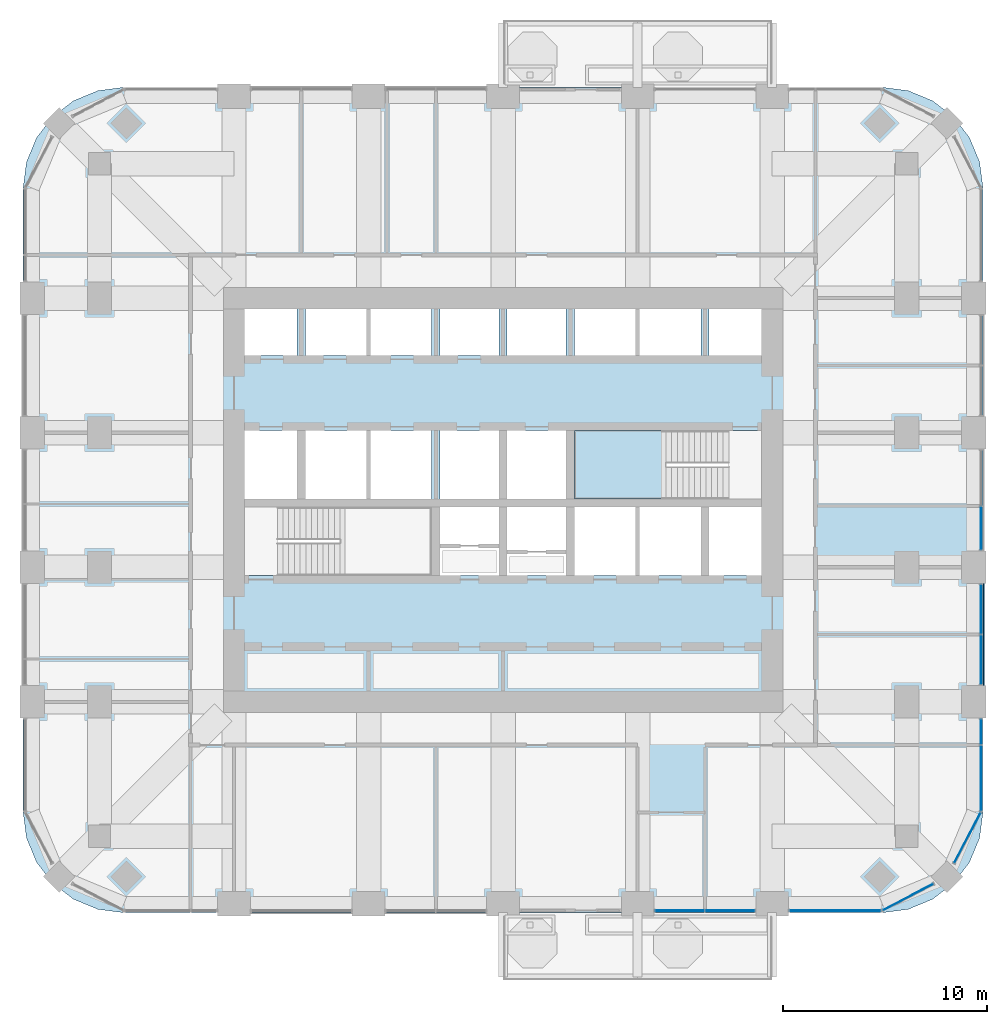
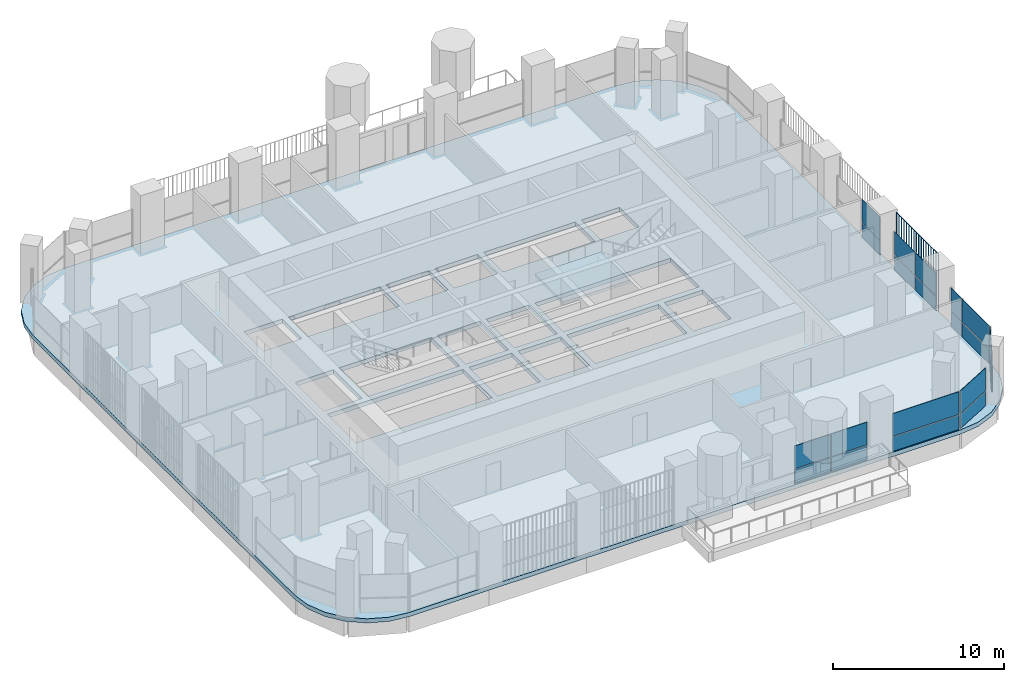
# One storey, part 10 of 20: 21 plates, 2 slabs, 8 elements without a shape of their own.
"""IFC4 building model written with IfcOpenShell, lengths in metres."""

from ifc_helpers import new_model, si_unit, direction, frame, origin, origin_2d, place, context, subcontext, project, spatial, polyline, rectangle, outline, extrude, material, layer, layer_set, type_object, element, aggregate, save


model = new_model("IFC4")

# Units and contexts
model_context = context("Model", 3, precision=1e-05, world=origin(), true_north=direction((0.0, 1.0)))
body_context = subcontext(model_context, "Body", "Model", "MODEL_VIEW")
ifc_project = project(units=[si_unit("LENGTHUNIT", "METRE"), si_unit("AREAUNIT", "SQUARE_METRE"), si_unit("VOLUMEUNIT", "CUBIC_METRE"), si_unit("PLANEANGLEUNIT", "RADIAN"), si_unit("MASSUNIT", "GRAM", prefix="KILO")], contexts=[model_context])

# Site, building, storey
site_placement = place(None, origin())
site = spatial("IfcSite", under=ifc_project, at=site_placement, CompositionType="ELEMENT")
building_placement = place(site_placement, origin())
building = spatial("IfcBuilding", under=site, at=building_placement, Name="Cobogo Forest Laboratory Tower", CompositionType="ELEMENT")
storey_placement = place(building_placement, frame((0.0, 0.0, 180.89990234375)))
storey = spatial("IfcBuildingStorey", under=building, at=storey_placement, Name="L41", CompositionType="ELEMENT", Elevation=180.89990234375)

# Slab
ifc_material_1 = material(Name="Concrete HA-40 (C40/50)", Category="concrete")
ifc_layer_1 = layer(ifc_material_1, 0.300048828125)
ifc_layer_set_1 = layer_set([ifc_layer_1], Name="Floor slab 300")
slab_type_1 = type_object("IfcSlabType", Name="Floor slab 300", PredefinedType="FLOOR", material=ifc_layer_set_1)
slab_1_placement = place(storey_placement, frame((0.0, 0.0, -0.2998046875)))
element("IfcSlab", 1, at=slab_1_placement, inside=storey, type_object=slab_type_1, Name="L41 floor slab", PredefinedType="FLOOR", context=body_context, shape_type="SweptSolid", body=[
    extrude(outline(polyline([(45.0, 2.85009765625), (46.28125, 3.0185546875), (47.47509765625, 3.51318359375), (48.500244140625, 4.2998046875), (49.286865234375, 5.324951171875), (49.78125, 6.518798828125), (49.949951171875, 7.800048828125), (49.949951171875, 38.39990234375), (49.78125, 39.68115234375), (49.286865234375, 40.875), (48.500244140625, 41.900146484375), (47.47509765625, 42.686767578125), (46.28125, 43.181396484375), (45.0, 43.35009765625), (7.800048828125, 43.35009765625), (6.518798828125, 43.181396484375), (5.324951171875, 42.686767578125), (4.2998046875, 41.900146484375), (3.51318359375, 40.875), (3.0185546875, 39.68115234375), (2.85009765625, 38.39990234375), (2.85009765625, 7.800048828125), (3.0185546875, 6.518798828125), (3.51318359375, 5.324951171875), (4.2998046875, 4.2998046875), (5.324951171875, 3.51318359375), (6.518798828125, 3.0185546875), (7.800048828125, 2.85009765625), (45.0, 2.85009765625)]), holes=[polyline([(22.89990234375, 19.39990234375), (13.72509765625, 19.39990234375), (13.72509765625, 22.75), (22.89990234375, 22.75), (22.89990234375, 19.39990234375)]), polyline([(26.199951171875, 19.39990234375), (23.300048828125, 19.39990234375), (23.300048828125, 22.75), (26.199951171875, 22.75), (26.199951171875, 19.39990234375)]), polyline([(29.5, 19.39990234375), (26.60009765625, 19.39990234375), (26.60009765625, 22.75), (29.5, 22.75), (29.5, 19.39990234375)]), polyline([(36.10009765625, 22.75), (36.10009765625, 19.39990234375), (29.89990234375, 19.39990234375), (29.89990234375, 22.75), (36.10009765625, 22.75)]), polyline([(36.5, 19.39990234375), (36.5, 22.75), (39.074951171875, 22.75), (39.074951171875, 19.39990234375), (36.5, 19.39990234375)]), polyline([(16.300048828125, 23.14990234375), (13.72509765625, 23.14990234375), (13.72509765625, 26.5), (16.300048828125, 26.5), (16.300048828125, 23.14990234375)]), polyline([(22.89990234375, 26.5), (22.89990234375, 23.14990234375), (16.699951171875, 23.14990234375), (16.699951171875, 26.5), (22.89990234375, 26.5)]), polyline([(26.199951171875, 23.14990234375), (23.300048828125, 23.14990234375), (23.300048828125, 26.5), (26.199951171875, 26.5), (26.199951171875, 23.14990234375)]), polyline([(26.60009765625, 23.14990234375), (26.60009765625, 26.5), (29.5, 26.5), (29.5, 23.14990234375), (26.60009765625, 23.14990234375)]), polyline([(39.074951171875, 23.14990234375), (29.89990234375, 23.14990234375), (29.89990234375, 26.5), (39.074951171875, 26.5), (39.074951171875, 23.14990234375)]), polyline([(16.300048828125, 30.199951171875), (13.72509765625, 30.199951171875), (13.72509765625, 32.47509765625), (16.300048828125, 32.47509765625), (16.300048828125, 30.199951171875)]), polyline([(22.89990234375, 32.47509765625), (22.89990234375, 30.199951171875), (16.699951171875, 30.199951171875), (16.699951171875, 32.47509765625), (22.89990234375, 32.47509765625)]), polyline([(23.300048828125, 30.199951171875), (23.300048828125, 32.47509765625), (26.199951171875, 32.47509765625), (26.199951171875, 30.199951171875), (23.300048828125, 30.199951171875)]), polyline([(29.5, 30.199951171875), (26.60009765625, 30.199951171875), (26.60009765625, 32.47509765625), (29.5, 32.47509765625), (29.5, 30.199951171875)]), polyline([(36.10009765625, 32.47509765625), (36.10009765625, 30.199951171875), (29.89990234375, 30.199951171875), (29.89990234375, 32.47509765625), (36.10009765625, 32.47509765625)]), polyline([(36.5, 30.199951171875), (36.5, 32.47509765625), (39.074951171875, 32.47509765625), (39.074951171875, 30.199951171875), (36.5, 30.199951171875)])]), origin(), (0.0, 0.0, 1.0), 0.2998046875),
])

# Curtain wall, plates
ifc_material_2 = material(Name="Aluminium curtain wall", Category="aluminium")
curtain_wall_type = type_object("IfcCurtainWallType", Name="CW-2 unitised curtain wall, solar control glazing, laboratory floors zones C and D", PredefinedType="USERDEFINED", material=ifc_material_2)
curtain_wall_1_placement = place(storey_placement, origin())
curtain_wall_1 = element("IfcCurtainWall", 2, at=curtain_wall_1_placement, inside=storey, type_object=curtain_wall_type, Name="Curtain wall 05 L41", ObjectType="UNITISED CURTAIN WALL", PredefinedType="USERDEFINED")
ifc_material_3 = material(Name="Solar control insulated glass", Category="glass")
ifc_layer_2 = layer(ifc_material_3, 0.031982421875)
ifc_layer_set_2 = layer_set([ifc_layer_2], Name="GP-2 solar control glass unit 32")
plate_type_1 = type_object("IfcPlateType", Name="GP-2 solar control glass unit 32", PredefinedType="CURTAIN_PANEL", material=ifc_layer_set_2)
plate_1_placement = place(storey_placement, frame((35.06494140625, 2.949951171875, 0.0), z_axis=(0.0, 0.0, 1.0), x_axis=(1.0, 0.0, 0.0)))
plate_1 = element("IfcPlate", 3, at=plate_1_placement, type_object=plate_type_1, Name="CW-2 panel 1.1", PredefinedType="CURTAIN_PANEL", context=body_context, shape_type="SweptSolid", body=[
    extrude(rectangle(XDim=2.409912109375, YDim=0.031982421875, at=origin_2d()), origin(), (0.0, 0.0, 1.0), 1.02001953125),
])
plate_2_placement = place(storey_placement, frame((35.06494140625, 2.949951171875, 1.080078125), z_axis=(0.0, 0.0, 1.0), x_axis=(1.0, 0.0, 0.0)))
plate_2 = element("IfcPlate", 4, at=plate_2_placement, type_object=plate_type_1, Name="CW-2 panel 1.2", PredefinedType="CURTAIN_PANEL", context=body_context, shape_type="SweptSolid", body=[
    extrude(rectangle(XDim=2.409912109375, YDim=0.031982421875, at=origin_2d()), origin(), (0.0, 0.0, 1.0), 1.6201171875),
])
plate_3_placement = place(storey_placement, frame((37.534912109375, 2.949951171875, 0.0), z_axis=(0.0, 0.0, 1.0), x_axis=(1.0, 0.0, 0.0)))
plate_3 = element("IfcPlate", 5, at=plate_3_placement, type_object=plate_type_1, Name="CW-2 panel 2.1", PredefinedType="CURTAIN_PANEL", context=body_context, shape_type="SweptSolid", body=[
    extrude(rectangle(XDim=2.409912109375, YDim=0.031982421875, at=origin_2d()), origin(), (0.0, 0.0, 1.0), 1.02001953125),
])
plate_4_placement = place(storey_placement, frame((37.534912109375, 2.949951171875, 1.080078125), z_axis=(0.0, 0.0, 1.0), x_axis=(1.0, 0.0, 0.0)))
plate_4 = element("IfcPlate", 6, at=plate_4_placement, type_object=plate_type_1, Name="CW-2 panel 2.2", PredefinedType="CURTAIN_PANEL", context=body_context, shape_type="SweptSolid", body=[
    extrude(rectangle(XDim=2.409912109375, YDim=0.031982421875, at=origin_2d()), origin(), (0.0, 0.0, 1.0), 1.6201171875),
])
aggregate(curtain_wall_1, [plate_1, plate_2, plate_3, plate_4])

curtain_wall_2_placement = place(storey_placement, origin())
curtain_wall_2 = element("IfcCurtainWall", 7, at=curtain_wall_2_placement, inside=storey, type_object=curtain_wall_type, Name="Curtain wall 06 L41", ObjectType="UNITISED CURTAIN WALL", PredefinedType="USERDEFINED")
plate_5_placement = place(storey_placement, frame((42.699951171875, 2.949951171875, 0.0), z_axis=(0.0, 0.0, 1.0), x_axis=(1.0, 0.0, 0.0)))
plate_5 = element("IfcPlate", 8, at=plate_5_placement, type_object=plate_type_1, Name="CW-2 panel 1.1", PredefinedType="CURTAIN_PANEL", context=body_context, shape_type="SweptSolid", body=[
    extrude(rectangle(XDim=4.47998046875, YDim=0.031982421875, at=origin_2d()), origin(), (0.0, 0.0, 1.0), 1.02001953125),
])
plate_6_placement = place(storey_placement, frame((42.699951171875, 2.949951171875, 1.080078125), z_axis=(0.0, 0.0, 1.0), x_axis=(1.0, 0.0, 0.0)))
plate_6 = element("IfcPlate", 9, at=plate_6_placement, type_object=plate_type_1, Name="CW-2 panel 1.2", PredefinedType="CURTAIN_PANEL", context=body_context, shape_type="SweptSolid", body=[
    extrude(rectangle(XDim=4.47998046875, YDim=0.031982421875, at=origin_2d()), origin(), (0.0, 0.0, 1.0), 1.6201171875),
])
aggregate(curtain_wall_2, [plate_5, plate_6])

curtain_wall_3_placement = place(storey_placement, origin())
curtain_wall_3 = element("IfcCurtainWall", 10, at=curtain_wall_3_placement, inside=storey, type_object=curtain_wall_type, Name="Curtain wall 07 L41", ObjectType="UNITISED CURTAIN WALL", PredefinedType="USERDEFINED")
plate_7_placement = place(storey_placement, frame((46.275634765625, 3.61865234375, 0.0), z_axis=(0.0, 0.0, 1.0), x_axis=(0.885686484356, 0.464283804832, 0.0)))
plate_7 = element("IfcPlate", 11, at=plate_7_placement, type_object=plate_type_1, Name="CW-2 panel 1.1", PredefinedType="CURTAIN_PANEL", context=body_context, shape_type="SweptSolid", body=[
    extrude(rectangle(XDim=2.76025390625, YDim=0.031982421875, at=origin_2d()), origin(), (0.0, 0.0, 1.0), 1.02001953125),
])
plate_8_placement = place(storey_placement, frame((46.275634765625, 3.61865234375, 1.080078125), z_axis=(0.0, 0.0, 1.0), x_axis=(0.885686484356, 0.464283804832, 0.0)))
plate_8 = element("IfcPlate", 12, at=plate_8_placement, type_object=plate_type_1, Name="CW-2 panel 1.2", PredefinedType="CURTAIN_PANEL", context=body_context, shape_type="SweptSolid", body=[
    extrude(rectangle(XDim=2.76025390625, YDim=0.031982421875, at=origin_2d()), origin(), (0.0, 0.0, 1.0), 1.6201171875),
])
aggregate(curtain_wall_3, [plate_7, plate_8])

curtain_wall_4_placement = place(storey_placement, origin())
curtain_wall_4 = element("IfcCurtainWall", 13, at=curtain_wall_4_placement, inside=storey, type_object=curtain_wall_type, Name="Curtain wall 08 L41", ObjectType="UNITISED CURTAIN WALL", PredefinedType="USERDEFINED")
plate_9_placement = place(storey_placement, frame((49.181396484375, 6.5244140625, 0.0), z_axis=(0.0, 0.0, 1.0), x_axis=(0.464283804832, 0.885686484356, 0.0)))
plate_9 = element("IfcPlate", 14, at=plate_9_placement, type_object=plate_type_1, Name="CW-2 panel 1.1", PredefinedType="CURTAIN_PANEL", context=body_context, shape_type="SweptSolid", body=[
    extrude(rectangle(XDim=2.76025390625, YDim=0.031982421875, at=origin_2d()), origin(), (0.0, 0.0, 1.0), 1.02001953125),
])
plate_10_placement = place(storey_placement, frame((49.181396484375, 6.5244140625, 1.080078125), z_axis=(0.0, 0.0, 1.0), x_axis=(0.464283804832, 0.885686484356, 0.0)))
plate_10 = element("IfcPlate", 15, at=plate_10_placement, type_object=plate_type_1, Name="CW-2 panel 1.2", PredefinedType="CURTAIN_PANEL", context=body_context, shape_type="SweptSolid", body=[
    extrude(rectangle(XDim=2.76025390625, YDim=0.031982421875, at=origin_2d()), origin(), (0.0, 0.0, 1.0), 1.6201171875),
])
aggregate(curtain_wall_4, [plate_9, plate_10])

curtain_wall_5_placement = place(storey_placement, origin())
curtain_wall_5 = element("IfcCurtainWall", 16, at=curtain_wall_5_placement, inside=storey, type_object=curtain_wall_type, Name="Curtain wall 09 L41", ObjectType="UNITISED CURTAIN WALL", PredefinedType="USERDEFINED")
plate_11_placement = place(storey_placement, frame((49.85009765625, 9.452392578125, 0.0), z_axis=(0.0, 0.0, 1.0), x_axis=(0.0, 1.0, 0.0)))
plate_11 = element("IfcPlate", 17, at=plate_11_placement, type_object=plate_type_1, Name="CW-2 panel 1.1", PredefinedType="CURTAIN_PANEL", context=body_context, shape_type="SweptSolid", body=[
    extrude(rectangle(XDim=3.18505859375, YDim=0.031982421875, at=origin_2d()), origin(), (0.0, 0.0, 1.0), 1.02001953125),
])
plate_12_placement = place(storey_placement, frame((49.85009765625, 9.452392578125, 1.080078125), z_axis=(0.0, 0.0, 1.0), x_axis=(0.0, 1.0, 0.0)))
plate_12 = element("IfcPlate", 18, at=plate_12_placement, type_object=plate_type_1, Name="CW-2 panel 1.2", PredefinedType="CURTAIN_PANEL", context=body_context, shape_type="SweptSolid", body=[
    extrude(rectangle(XDim=3.18505859375, YDim=0.031982421875, at=origin_2d()), origin(), (0.0, 0.0, 1.0), 1.6201171875),
])
plate_13_placement = place(storey_placement, frame((49.85009765625, 11.722412109375, 0.0), z_axis=(0.0, 0.0, 1.0), x_axis=(0.0, 1.0, 0.0)))
plate_13 = element("IfcPlate", 19, at=plate_13_placement, type_object=plate_type_1, Name="CW-2 panel 2.1", PredefinedType="CURTAIN_PANEL", context=body_context, shape_type="SweptSolid", body=[
    extrude(rectangle(XDim=1.235107421875, YDim=0.031982421875, at=origin_2d()), origin(), (0.0, 0.0, 1.0), 1.02001953125),
])
plate_14_placement = place(storey_placement, frame((49.85009765625, 11.722412109375, 1.080078125), z_axis=(0.0, 0.0, 1.0), x_axis=(0.0, 1.0, 0.0)))
plate_14 = element("IfcPlate", 20, at=plate_14_placement, type_object=plate_type_1, Name="CW-2 panel 2.2", PredefinedType="CURTAIN_PANEL", context=body_context, shape_type="SweptSolid", body=[
    extrude(rectangle(XDim=1.235107421875, YDim=0.031982421875, at=origin_2d()), origin(), (0.0, 0.0, 1.0), 1.6201171875),
])
aggregate(curtain_wall_5, [plate_11, plate_12, plate_13, plate_14])

curtain_wall_6_placement = place(storey_placement, origin())
curtain_wall_6 = element("IfcCurtainWall", 21, at=curtain_wall_6_placement, inside=storey, type_object=curtain_wall_type, Name="Curtain wall 10 L41", ObjectType="UNITISED CURTAIN WALL", PredefinedType="USERDEFINED")
plate_15_placement = place(storey_placement, frame((49.85009765625, 15.264892578125, 0.0), z_axis=(0.0, 0.0, 1.0), x_axis=(0.0, 1.0, 0.0)))
plate_15 = element("IfcPlate", 22, at=plate_15_placement, type_object=plate_type_1, Name="CW-2 panel 1.1", PredefinedType="CURTAIN_PANEL", context=body_context, shape_type="SweptSolid", body=[
    extrude(rectangle(XDim=2.409912109375, YDim=0.031982421875, at=origin_2d()), origin(), (0.0, 0.0, 1.0), 1.02001953125),
])
plate_16_placement = place(storey_placement, frame((49.85009765625, 15.264892578125, 1.080078125), z_axis=(0.0, 0.0, 1.0), x_axis=(0.0, 1.0, 0.0)))
plate_16 = element("IfcPlate", 23, at=plate_16_placement, type_object=plate_type_1, Name="CW-2 panel 1.2", PredefinedType="CURTAIN_PANEL", context=body_context, shape_type="SweptSolid", body=[
    extrude(rectangle(XDim=2.409912109375, YDim=0.031982421875, at=origin_2d()), origin(), (0.0, 0.0, 1.0), 1.6201171875),
])
plate_17_placement = place(storey_placement, frame((49.85009765625, 17.735107421875, 0.0), z_axis=(0.0, 0.0, 1.0), x_axis=(0.0, 1.0, 0.0)))
plate_17 = element("IfcPlate", 24, at=plate_17_placement, type_object=plate_type_1, Name="CW-2 panel 2.1", PredefinedType="CURTAIN_PANEL", context=body_context, shape_type="SweptSolid", body=[
    extrude(rectangle(XDim=2.409912109375, YDim=0.031982421875, at=origin_2d()), origin(), (0.0, 0.0, 1.0), 1.02001953125),
])
plate_18_placement = place(storey_placement, frame((49.85009765625, 17.735107421875, 1.080078125), z_axis=(0.0, 0.0, 1.0), x_axis=(0.0, 1.0, 0.0)))
plate_18 = element("IfcPlate", 25, at=plate_18_placement, type_object=plate_type_1, Name="CW-2 panel 2.2", PredefinedType="CURTAIN_PANEL", context=body_context, shape_type="SweptSolid", body=[
    extrude(rectangle(XDim=2.409912109375, YDim=0.031982421875, at=origin_2d()), origin(), (0.0, 0.0, 1.0), 1.6201171875),
])
aggregate(curtain_wall_6, [plate_15, plate_16, plate_17, plate_18])

curtain_wall_7_placement = place(storey_placement, origin())
curtain_wall_7 = element("IfcCurtainWall", 26, at=curtain_wall_7_placement, inside=storey, type_object=curtain_wall_type, Name="Curtain wall 11 L41", ObjectType="UNITISED CURTAIN WALL", PredefinedType="USERDEFINED")
plate_19_placement = place(storey_placement, frame((49.85009765625, 21.715087890625, 0.0), z_axis=(0.0, 0.0, 1.0), x_axis=(0.0, 1.0, 0.0)))
plate_19 = element("IfcPlate", 27, at=plate_19_placement, type_object=plate_type_1, Name="CW-2 panel 1.1", PredefinedType="CURTAIN_PANEL", context=body_context, shape_type="SweptSolid", body=[
    extrude(rectangle(XDim=2.110107421875, YDim=0.031982421875, at=origin_2d()), origin(), (0.0, 0.0, 1.0), 1.02001953125),
])
plate_20_placement = place(storey_placement, frame((49.85009765625, 21.715087890625, 1.080078125), z_axis=(0.0, 0.0, 1.0), x_axis=(0.0, 1.0, 0.0)))
plate_20 = element("IfcPlate", 28, at=plate_20_placement, type_object=plate_type_1, Name="CW-2 panel 1.2", PredefinedType="CURTAIN_PANEL", context=body_context, shape_type="SweptSolid", body=[
    extrude(rectangle(XDim=2.110107421875, YDim=0.031982421875, at=origin_2d()), origin(), (0.0, 0.0, 1.0), 1.6201171875),
])
aggregate(curtain_wall_7, [plate_19, plate_20])

# Stair, slab
ifc_material_4 = material(Name="Precast concrete HA-40 (C40/50)", Category="concrete")
stair_type = type_object("IfcStairType", Name="ST24 exit stair 24 risers", PredefinedType="HALF_TURN_STAIR", material=ifc_material_4)
stair_placement = place(storey_placement, origin())
stair = element("IfcStair", 29, at=stair_placement, inside=storey, type_object=stair_type, Name="Stair 2 L41 to L42", PredefinedType="HALF_TURN_STAIR")
ifc_layer_3 = layer(ifc_material_1, 0.199951171875)
ifc_layer_set_3 = layer_set([ifc_layer_3], Name="SL stair landing 200")
slab_type_2 = type_object("IfcSlabType", Name="SL stair landing 200", PredefinedType="LANDING", material=ifc_layer_set_3)
slab_2_placement = place(storey_placement, frame((0.0, 0.0, 1.900146484375)))
slab_2 = element("IfcSlab", 30, at=slab_2_placement, type_object=slab_type_2, Name="ST2 landing 2", PredefinedType="LANDING", context=body_context, shape_type="SweptSolid", body=[
    extrude(outline(polyline([(29.89990234375, 23.14990234375), (34.39697265625, 23.14990234375), (34.39697265625, 26.5), (29.89990234375, 26.5), (29.89990234375, 23.14990234375)])), origin(), (0.0, 0.0, 1.0), 0.199951171875),
])
aggregate(stair, [slab_2])

# Plate
ifc_material_5 = material(Name="Terracotta", Category="masonry")
plate_type_2 = type_object("IfcPlateType", Name="TB1 terracotta baguette screen", PredefinedType="USERDEFINED", material=ifc_material_5)
plate_21_placement = place(storey_placement, frame((49.977783203125, 14.03125, -0.14990234375)))
element("IfcPlate", 31, at=plate_21_placement, inside=storey, type_object=plate_type_2, Name="Baguette screen E1 L41", ObjectType="BAGUETTE SCREEN", PredefinedType="USERDEFINED", context=body_context, shape_type="SweptSolid", body=[
    extrude(outline(polyline([(0.02880859375, 0.011962890625), (0.011962890625, 0.02880859375), (-0.011962890625, 0.02880859375), (-0.02880859375, 0.011962890625), (-0.02880859375, -0.011962890625), (-0.011962890625, -0.02880859375), (0.011962890625, -0.02880859375), (0.02880859375, -0.011962890625), (0.02880859375, 0.011962890625)])), frame((0.0, 0.0, 4.168701171875), z_axis=(0.0, 1.0, 0.0), x_axis=(-1.0, 0.0, 0.0)), (0.0, 0.0, 1.0), 4.9375),
    extrude(outline(polyline([(0.02880859375, 0.011962890625), (0.011962890625, 0.02880859375), (-0.011962890625, 0.02880859375), (-0.02880859375, 0.011962890625), (-0.02880859375, -0.011962890625), (-0.011962890625, -0.02880859375), (0.011962890625, -0.02880859375), (0.02880859375, -0.011962890625), (0.02880859375, 0.011962890625)])), origin(), (0.0, 0.0, 1.0), 4.137451171875),
    extrude(outline(polyline([(0.02880859375, 0.011962890625), (0.011962890625, 0.02880859375), (-0.011962890625, 0.02880859375), (-0.02880859375, 0.011962890625), (-0.02880859375, -0.011962890625), (-0.011962890625, -0.02880859375), (0.011962890625, -0.02880859375), (0.02880859375, -0.011962890625), (0.02880859375, 0.011962890625)])), frame((0.0, 0.29052734375, 0.0)), (0.0, 0.0, 1.0), 4.137451171875),
    extrude(outline(polyline([(0.02880859375, 0.011962890625), (0.011962890625, 0.02880859375), (-0.011962890625, 0.02880859375), (-0.02880859375, 0.011962890625), (-0.02880859375, -0.011962890625), (-0.011962890625, -0.02880859375), (0.011962890625, -0.02880859375), (0.02880859375, -0.011962890625), (0.02880859375, 0.011962890625)])), frame((0.0, 0.580810546875, 0.0)), (0.0, 0.0, 1.0), 4.137451171875),
    extrude(outline(polyline([(0.02880859375, 0.011962890625), (0.011962890625, 0.02880859375), (-0.011962890625, 0.02880859375), (-0.02880859375, 0.011962890625), (-0.02880859375, -0.011962890625), (-0.011962890625, -0.02880859375), (0.011962890625, -0.02880859375), (0.02880859375, -0.011962890625), (0.02880859375, 0.011962890625)])), frame((0.0, 0.871337890625, 0.0)), (0.0, 0.0, 1.0), 4.137451171875),
    extrude(outline(polyline([(0.02880859375, 0.011962890625), (0.011962890625, 0.02880859375), (-0.011962890625, 0.02880859375), (-0.02880859375, 0.011962890625), (-0.02880859375, -0.011962890625), (-0.011962890625, -0.02880859375), (0.011962890625, -0.02880859375), (0.02880859375, -0.011962890625), (0.02880859375, 0.011962890625)])), frame((0.0, 1.161865234375, 0.0)), (0.0, 0.0, 1.0), 4.137451171875),
    extrude(outline(polyline([(0.02880859375, 0.011962890625), (0.011962890625, 0.02880859375), (-0.011962890625, 0.02880859375), (-0.02880859375, 0.011962890625), (-0.02880859375, -0.011962890625), (-0.011962890625, -0.02880859375), (0.011962890625, -0.02880859375), (0.02880859375, -0.011962890625), (0.02880859375, 0.011962890625)])), frame((0.0, 1.4521484375, 0.0)), (0.0, 0.0, 1.0), 4.137451171875),
    extrude(outline(polyline([(0.02880859375, 0.011962890625), (0.011962890625, 0.02880859375), (-0.011962890625, 0.02880859375), (-0.02880859375, 0.011962890625), (-0.02880859375, -0.011962890625), (-0.011962890625, -0.02880859375), (0.011962890625, -0.02880859375), (0.02880859375, -0.011962890625), (0.02880859375, 0.011962890625)])), frame((0.0, 1.74267578125, 0.0)), (0.0, 0.0, 1.0), 4.137451171875),
    extrude(outline(polyline([(0.02880859375, 0.011962890625), (0.011962890625, 0.02880859375), (-0.011962890625, 0.02880859375), (-0.02880859375, 0.011962890625), (-0.02880859375, -0.011962890625), (-0.011962890625, -0.02880859375), (0.011962890625, -0.02880859375), (0.02880859375, -0.011962890625), (0.02880859375, 0.011962890625)])), frame((0.0, 2.033203125, 0.0)), (0.0, 0.0, 1.0), 4.137451171875),
    extrude(outline(polyline([(0.02880859375, 0.011962890625), (0.011962890625, 0.02880859375), (-0.011962890625, 0.02880859375), (-0.02880859375, 0.011962890625), (-0.02880859375, -0.011962890625), (-0.011962890625, -0.02880859375), (0.011962890625, -0.02880859375), (0.02880859375, -0.011962890625), (0.02880859375, 0.011962890625)])), frame((0.0, 2.323486328125, 0.0)), (0.0, 0.0, 1.0), 4.137451171875),
    extrude(outline(polyline([(0.02880859375, 0.011962890625), (0.011962890625, 0.02880859375), (-0.011962890625, 0.02880859375), (-0.02880859375, 0.011962890625), (-0.02880859375, -0.011962890625), (-0.011962890625, -0.02880859375), (0.011962890625, -0.02880859375), (0.02880859375, -0.011962890625), (0.02880859375, 0.011962890625)])), frame((0.0, 2.614013671875, 0.0)), (0.0, 0.0, 1.0), 4.137451171875),
    extrude(outline(polyline([(0.02880859375, 0.011962890625), (0.011962890625, 0.02880859375), (-0.011962890625, 0.02880859375), (-0.02880859375, 0.011962890625), (-0.02880859375, -0.011962890625), (-0.011962890625, -0.02880859375), (0.011962890625, -0.02880859375), (0.02880859375, -0.011962890625), (0.02880859375, 0.011962890625)])), frame((0.0, 2.904296875, 0.0)), (0.0, 0.0, 1.0), 4.137451171875),
    extrude(outline(polyline([(0.02880859375, 0.011962890625), (0.011962890625, 0.02880859375), (-0.011962890625, 0.02880859375), (-0.02880859375, 0.011962890625), (-0.02880859375, -0.011962890625), (-0.011962890625, -0.02880859375), (0.011962890625, -0.02880859375), (0.02880859375, -0.011962890625), (0.02880859375, 0.011962890625)])), frame((0.0, 3.19482421875, 0.0)), (0.0, 0.0, 1.0), 4.137451171875),
    extrude(outline(polyline([(0.02880859375, 0.011962890625), (0.011962890625, 0.02880859375), (-0.011962890625, 0.02880859375), (-0.02880859375, 0.011962890625), (-0.02880859375, -0.011962890625), (-0.011962890625, -0.02880859375), (0.011962890625, -0.02880859375), (0.02880859375, -0.011962890625), (0.02880859375, 0.011962890625)])), frame((0.0, 3.4853515625, 0.0)), (0.0, 0.0, 1.0), 4.137451171875),
    extrude(outline(polyline([(0.02880859375, 0.011962890625), (0.011962890625, 0.02880859375), (-0.011962890625, 0.02880859375), (-0.02880859375, 0.011962890625), (-0.02880859375, -0.011962890625), (-0.011962890625, -0.02880859375), (0.011962890625, -0.02880859375), (0.02880859375, -0.011962890625), (0.02880859375, 0.011962890625)])), frame((0.0, 3.775634765625, 0.0)), (0.0, 0.0, 1.0), 4.137451171875),
    extrude(outline(polyline([(0.02880859375, 0.011962890625), (0.011962890625, 0.02880859375), (-0.011962890625, 0.02880859375), (-0.02880859375, 0.011962890625), (-0.02880859375, -0.011962890625), (-0.011962890625, -0.02880859375), (0.011962890625, -0.02880859375), (0.02880859375, -0.011962890625), (0.02880859375, 0.011962890625)])), frame((0.0, 4.066162109375, 0.0)), (0.0, 0.0, 1.0), 4.137451171875),
    extrude(outline(polyline([(0.02880859375, 0.011962890625), (0.011962890625, 0.02880859375), (-0.011962890625, 0.02880859375), (-0.02880859375, 0.011962890625), (-0.02880859375, -0.011962890625), (-0.011962890625, -0.02880859375), (0.011962890625, -0.02880859375), (0.02880859375, -0.011962890625), (0.02880859375, 0.011962890625)])), frame((0.0, 4.356689453125, 0.0)), (0.0, 0.0, 1.0), 4.137451171875),
    extrude(outline(polyline([(0.02880859375, 0.011962890625), (0.011962890625, 0.02880859375), (-0.011962890625, 0.02880859375), (-0.02880859375, 0.011962890625), (-0.02880859375, -0.011962890625), (-0.011962890625, -0.02880859375), (0.011962890625, -0.02880859375), (0.02880859375, -0.011962890625), (0.02880859375, 0.011962890625)])), frame((0.0, 4.64697265625, 0.0)), (0.0, 0.0, 1.0), 4.137451171875),
    extrude(outline(polyline([(0.02880859375, 0.011962890625), (0.011962890625, 0.02880859375), (-0.011962890625, 0.02880859375), (-0.02880859375, 0.011962890625), (-0.02880859375, -0.011962890625), (-0.011962890625, -0.02880859375), (0.011962890625, -0.02880859375), (0.02880859375, -0.011962890625), (0.02880859375, 0.011962890625)])), frame((0.0, 4.9375, 0.0)), (0.0, 0.0, 1.0), 4.137451171875),
])

save(model, "model.ifc")
